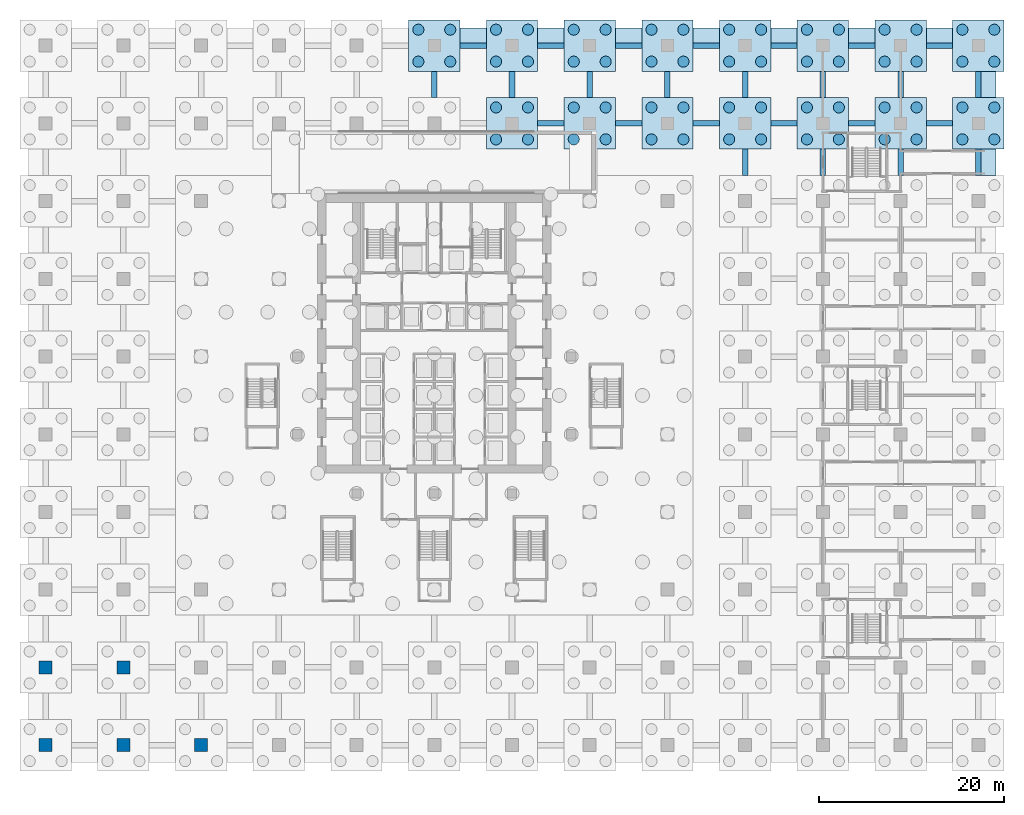
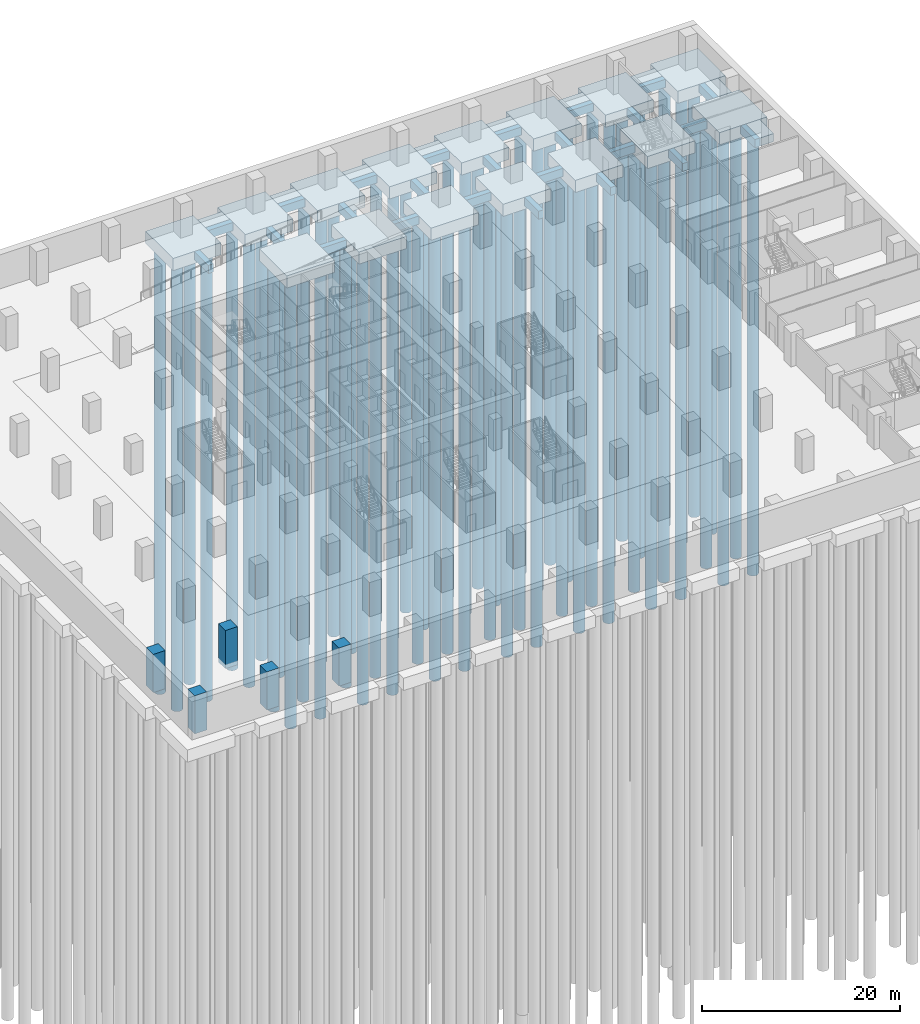
# One storey, part 6 of 22: 60 piles, 49 footings, 5 columns.
"""IFC4 building model written with IfcOpenShell, lengths in metres."""

from ifc_helpers import new_model, si_unit, direction, frame, origin, origin_2d, place, context, subcontext, project, spatial, polyline, rectangle, circle, outline, extrude, material, layer, layer_set, material_profile, profile_set, type_object, element, save


model = new_model("IFC4")

# Units and contexts
model_context = context("Model", 3, precision=1e-05, world=origin(), true_north=direction((0.0, 1.0)))
body_context = subcontext(model_context, "Body", "Model", "MODEL_VIEW")
ifc_project = project(units=[si_unit("LENGTHUNIT", "METRE"), si_unit("AREAUNIT", "SQUARE_METRE"), si_unit("VOLUMEUNIT", "CUBIC_METRE"), si_unit("PLANEANGLEUNIT", "RADIAN"), si_unit("MASSUNIT", "GRAM", prefix="KILO")], contexts=[model_context])

# Site, building, storey
site_placement = place(None, origin())
site = spatial("IfcSite", under=ifc_project, at=site_placement, CompositionType="ELEMENT")
building_placement = place(site_placement, origin())
building = spatial("IfcBuilding", under=site, at=building_placement, Name="Vermilion Ogive Tower", CompositionType="ELEMENT")
storey_placement = place(building_placement, frame((0.0, 0.0, -8.39990234375)))
storey = spatial("IfcBuildingStorey", under=building, at=storey_placement, Name="B2", CompositionType="ELEMENT", Elevation=-8.39990234375)

# Piles
ifc_material_1 = material(Name="Concrete B45", Category="concrete")
pile_type = type_object("IfcPileType", Name="Bored pile PC1 D1200", PredefinedType="BORED", material=ifc_material_1)
for number, where, z_axis, x_axis, name in (
    (1, (-1.72509765625, 36.074951171875, -1.900146484375), (0.0, 0.0, -1.0), (1.0, 0.0, 0.0), "Cap pile 035-1"),
    (2, (1.72509765625, 36.074951171875, -1.900146484375), (0.0, 0.0, -1.0), (1.0, 0.0, 0.0), "Cap pile 035-2"),
    (3, (-1.72509765625, 39.52490234375, -1.900146484375), (0.0, 0.0, -1.0), (1.0, 0.0, 0.0), "Cap pile 035-3"),
    (4, (1.72509765625, 39.52490234375, -1.900146484375), (0.0, 0.0, -1.0), (1.0, 0.0, 0.0), "Cap pile 035-4"),
    (5, (6.675048828125, 27.675048828125, -1.900146484375), (0.0, 0.0, -1.0), (1.0, 0.0, 0.0), "Cap pile 038-1"),
    (6, (10.125, 27.675048828125, -1.900146484375), (0.0, 0.0, -1.0), (1.0, 0.0, 0.0), "Cap pile 038-2"),
    (7, (6.675048828125, 31.125, -1.900146484375), (0.0, 0.0, -1.0), (1.0, 0.0, 0.0), "Cap pile 038-3"),
    (8, (10.125, 31.125, -1.900146484375), (0.0, 0.0, -1.0), (1.0, 0.0, 0.0), "Cap pile 038-4"),
    (9, (6.675048828125, 36.074951171875, -1.900146484375), (0.0, 0.0, -1.0), (1.0, 0.0, 0.0), "Cap pile 039-1"),
    (10, (10.125, 36.074951171875, -1.900146484375), (0.0, 0.0, -1.0), (1.0, 0.0, 0.0), "Cap pile 039-2"),
    (11, (6.675048828125, 39.52490234375, -1.900146484375), (0.0, 0.0, -1.0), (1.0, 0.0, 0.0), "Cap pile 039-3"),
    (12, (10.125, 39.52490234375, -1.900146484375), (0.0, 0.0, -1.0), (1.0, 0.0, 0.0), "Cap pile 039-4"),
    (13, (15.074951171875, 27.675048828125, -1.900146484375), (0.0, 0.0, -1.0), (1.0, 0.0, 0.0), "Cap pile 042-1"),
    (14, (18.52490234375, 27.675048828125, -1.900146484375), (0.0, 0.0, -1.0), (1.0, 0.0, 0.0), "Cap pile 042-2"),
    (15, (15.074951171875, 31.125, -1.900146484375), (0.0, 0.0, -1.0), (1.0, 0.0, 0.0), "Cap pile 042-3"),
    (16, (18.52490234375, 31.125, -1.900146484375), (0.0, 0.0, -1.0), (1.0, 0.0, 0.0), "Cap pile 042-4"),
    (17, (15.074951171875, 36.074951171875, -1.900146484375), (0.0, 0.0, -1.0), (1.0, 0.0, 0.0), "Cap pile 043-1"),
    (18, (18.52490234375, 36.074951171875, -1.900146484375), (0.0, 0.0, -1.0), (1.0, 0.0, 0.0), "Cap pile 043-2"),
    (19, (15.074951171875, 39.52490234375, -1.900146484375), (0.0, 0.0, -1.0), (1.0, 0.0, 0.0), "Cap pile 043-3"),
    (20, (18.52490234375, 39.52490234375, -1.900146484375), (0.0, 0.0, -1.0), (1.0, 0.0, 0.0), "Cap pile 043-4"),
    (21, (23.47509765625, 27.675048828125, -1.900146484375), (0.0, 0.0, -1.0), (1.0, 0.0, 0.0), "Cap pile 046-1"),
    (22, (26.925048828125, 27.675048828125, -1.900146484375), (0.0, 0.0, -1.0), (1.0, 0.0, 0.0), "Cap pile 046-2"),
    (23, (23.47509765625, 31.125, -1.900146484375), (0.0, 0.0, -1.0), (1.0, 0.0, 0.0), "Cap pile 046-3"),
    (24, (26.925048828125, 31.125, -1.900146484375), (0.0, 0.0, -1.0), (1.0, 0.0, 0.0), "Cap pile 046-4"),
    (25, (23.47509765625, 36.074951171875, -1.900146484375), (0.0, 0.0, -1.0), (1.0, 0.0, 0.0), "Cap pile 047-1"),
    (26, (26.925048828125, 36.074951171875, -1.900146484375), (0.0, 0.0, -1.0), (1.0, 0.0, 0.0), "Cap pile 047-2"),
    (27, (23.47509765625, 39.52490234375, -1.900146484375), (0.0, 0.0, -1.0), (1.0, 0.0, 0.0), "Cap pile 047-3"),
    (28, (26.925048828125, 39.52490234375, -1.900146484375), (0.0, 0.0, -1.0), (1.0, 0.0, 0.0), "Cap pile 047-4"),
    (29, (31.875, 27.675048828125, -1.900146484375), (0.0, 0.0, -1.0), (1.0, 0.0, 0.0), "Cap pile 056-1"),
    (30, (35.324951171875, 27.675048828125, -1.900146484375), (0.0, 0.0, -1.0), (1.0, 0.0, 0.0), "Cap pile 056-2"),
    (31, (31.875, 31.125, -1.900146484375), (0.0, 0.0, -1.0), (1.0, 0.0, 0.0), "Cap pile 056-3"),
    (32, (35.324951171875, 31.125, -1.900146484375), (0.0, 0.0, -1.0), (1.0, 0.0, 0.0), "Cap pile 056-4"),
    (33, (31.875, 36.074951171875, -1.900146484375), (0.0, 0.0, -1.0), (1.0, 0.0, 0.0), "Cap pile 057-1"),
    (34, (35.324951171875, 36.074951171875, -1.900146484375), (0.0, 0.0, -1.0), (1.0, 0.0, 0.0), "Cap pile 057-2"),
    (35, (31.875, 39.52490234375, -1.900146484375), (0.0, 0.0, -1.0), (1.0, 0.0, 0.0), "Cap pile 057-3"),
    (36, (35.324951171875, 39.52490234375, -1.900146484375), (0.0, 0.0, -1.0), (1.0, 0.0, 0.0), "Cap pile 057-4"),
    (37, (40.27490234375, 27.675048828125, -1.900146484375), (0.0, 0.0, -1.0), (1.0, 0.0, 0.0), "Cap pile 066-1"),
    (38, (43.72509765625, 27.675048828125, -1.900146484375), (0.0, 0.0, -1.0), (1.0, 0.0, 0.0), "Cap pile 066-2"),
    (39, (40.27490234375, 31.125, -1.900146484375), (0.0, 0.0, -1.0), (1.0, 0.0, 0.0), "Cap pile 066-3"),
    (40, (43.72509765625, 31.125, -1.900146484375), (0.0, 0.0, -1.0), (1.0, 0.0, 0.0), "Cap pile 066-4"),
    (41, (40.27490234375, 36.074951171875, -1.900146484375), (0.0, 0.0, -1.0), (1.0, 0.0, 0.0), "Cap pile 067-1"),
    (42, (43.72509765625, 36.074951171875, -1.900146484375), (0.0, 0.0, -1.0), (1.0, 0.0, 0.0), "Cap pile 067-2"),
    (43, (40.27490234375, 39.52490234375, -1.900146484375), (0.0, 0.0, -1.0), (1.0, 0.0, 0.0), "Cap pile 067-3"),
    (44, (43.72509765625, 39.52490234375, -1.900146484375), (0.0, 0.0, -1.0), (1.0, 0.0, 0.0), "Cap pile 067-4"),
    (45, (48.675048828125, 27.675048828125, -1.900146484375), (0.0, 0.0, -1.0), (1.0, 0.0, 0.0), "Cap pile 076-1"),
    (46, (52.125, 27.675048828125, -1.900146484375), (0.0, 0.0, -1.0), (1.0, 0.0, 0.0), "Cap pile 076-2"),
    (47, (48.675048828125, 31.125, -1.900146484375), (0.0, 0.0, -1.0), (1.0, 0.0, 0.0), "Cap pile 076-3"),
    (48, (52.125, 31.125, -1.900146484375), (0.0, 0.0, -1.0), (1.0, 0.0, 0.0), "Cap pile 076-4"),
    (49, (48.675048828125, 36.074951171875, -1.900146484375), (0.0, 0.0, -1.0), (1.0, 0.0, 0.0), "Cap pile 077-1"),
    (50, (52.125, 36.074951171875, -1.900146484375), (0.0, 0.0, -1.0), (1.0, 0.0, 0.0), "Cap pile 077-2"),
    (51, (48.675048828125, 39.52490234375, -1.900146484375), (0.0, 0.0, -1.0), (1.0, 0.0, 0.0), "Cap pile 077-3"),
    (52, (52.125, 39.52490234375, -1.900146484375), (0.0, 0.0, -1.0), (1.0, 0.0, 0.0), "Cap pile 077-4"),
    (53, (57.074951171875, 27.675048828125, -1.900146484375), (0.0, 0.0, -1.0), (1.0, 0.0, 0.0), "Cap pile 086-1"),
    (54, (60.52490234375, 27.675048828125, -1.900146484375), (0.0, 0.0, -1.0), (1.0, 0.0, 0.0), "Cap pile 086-2"),
    (55, (57.074951171875, 31.125, -1.900146484375), (0.0, 0.0, -1.0), (1.0, 0.0, 0.0), "Cap pile 086-3"),
    (56, (60.52490234375, 31.125, -1.900146484375), (0.0, 0.0, -1.0), (1.0, 0.0, 0.0), "Cap pile 086-4"),
    (57, (57.074951171875, 36.074951171875, -1.900146484375), (0.0, 0.0, -1.0), (1.0, 0.0, 0.0), "Cap pile 087-1"),
    (58, (60.52490234375, 36.074951171875, -1.900146484375), (0.0, 0.0, -1.0), (1.0, 0.0, 0.0), "Cap pile 087-2"),
    (59, (57.074951171875, 39.52490234375, -1.900146484375), (0.0, 0.0, -1.0), (1.0, 0.0, 0.0), "Cap pile 087-3"),
    (60, (60.52490234375, 39.52490234375, -1.900146484375), (0.0, 0.0, -1.0), (1.0, 0.0, 0.0), "Cap pile 087-4"),
):
    element("IfcPile", number, at=place(storey_placement, frame(where, z_axis=z_axis, x_axis=x_axis)), inside=storey, type_object=pile_type, Name=name, PredefinedType="BORED", context=body_context, shape_type="SweptSolid", body=[
        extrude(circle(Radius=0.60009765625, at=origin_2d()), origin(), (0.0, 0.0, 1.0), 55.0),
    ])

# Footings
ifc_material_2 = material(Name="Concrete B50", Category="concrete")
footing_type_1 = type_object("IfcFootingType", Name="Ground beam GB1", PredefinedType="FOOTING_BEAM", material=ifc_material_2)
footing_1_placement = place(storey_placement, frame((0.0, 0.0, -1.5)))
element("IfcFooting", 61, at=footing_1_placement, inside=storey, type_object=footing_type_1, Name="Ground beam 065", PredefinedType="FOOTING_BEAM", context=body_context, shape_type="SweptSolid", body=[
    extrude(outline(polyline([(0.300048828125, 32.175048828125), (0.300048828125, 35.02490234375), (-0.300048828125, 35.02490234375), (-0.300048828125, 32.175048828125), (0.300048828125, 32.175048828125)])), origin(), (0.0, 0.0, 1.0), 1.0),
])
footing_2_placement = place(storey_placement, frame((0.0, 0.0, -1.5)))
element("IfcFooting", 62, at=footing_2_placement, inside=storey, type_object=footing_type_1, Name="Ground beam 066", PredefinedType="FOOTING_BEAM", context=body_context, shape_type="SweptSolid", body=[
    extrude(outline(polyline([(5.625, 37.5), (5.625, 38.10009765625), (2.77490234375, 38.10009765625), (2.77490234375, 37.5), (5.625, 37.5)])), origin(), (0.0, 0.0, 1.0), 1.0),
])
footing_3_placement = place(storey_placement, frame((0.0, 0.0, -1.5)))
element("IfcFooting", 63, at=footing_3_placement, inside=storey, type_object=footing_type_1, Name="Ground beam 071", PredefinedType="FOOTING_BEAM", context=body_context, shape_type="SweptSolid", body=[
    extrude(outline(polyline([(14.02490234375, 29.10009765625), (14.02490234375, 29.699951171875), (11.175048828125, 29.699951171875), (11.175048828125, 29.10009765625), (14.02490234375, 29.10009765625)])), origin(), (0.0, 0.0, 1.0), 1.0),
])
footing_4_placement = place(storey_placement, frame((0.0, 0.0, -1.5)))
element("IfcFooting", 64, at=footing_4_placement, inside=storey, type_object=footing_type_1, Name="Ground beam 072", PredefinedType="FOOTING_BEAM", context=body_context, shape_type="SweptSolid", body=[
    extrude(outline(polyline([(8.699951171875, 32.175048828125), (8.699951171875, 35.02490234375), (8.10009765625, 35.02490234375), (8.10009765625, 32.175048828125), (8.699951171875, 32.175048828125)])), origin(), (0.0, 0.0, 1.0), 1.0),
])
footing_5_placement = place(storey_placement, frame((0.0, 0.0, -1.5)))
element("IfcFooting", 65, at=footing_5_placement, inside=storey, type_object=footing_type_1, Name="Ground beam 073", PredefinedType="FOOTING_BEAM", context=body_context, shape_type="SweptSolid", body=[
    extrude(outline(polyline([(14.02490234375, 37.5), (14.02490234375, 38.10009765625), (11.175048828125, 38.10009765625), (11.175048828125, 37.5), (14.02490234375, 37.5)])), origin(), (0.0, 0.0, 1.0), 1.0),
])
footing_6_placement = place(storey_placement, frame((0.0, 0.0, -1.5)))
element("IfcFooting", 66, at=footing_6_placement, inside=storey, type_object=footing_type_1, Name="Ground beam 078", PredefinedType="FOOTING_BEAM", context=body_context, shape_type="SweptSolid", body=[
    extrude(outline(polyline([(22.425048828125, 29.10009765625), (22.425048828125, 29.699951171875), (19.574951171875, 29.699951171875), (19.574951171875, 29.10009765625), (22.425048828125, 29.10009765625)])), origin(), (0.0, 0.0, 1.0), 1.0),
])
footing_7_placement = place(storey_placement, frame((0.0, 0.0, -1.5)))
element("IfcFooting", 67, at=footing_7_placement, inside=storey, type_object=footing_type_1, Name="Ground beam 079", PredefinedType="FOOTING_BEAM", context=body_context, shape_type="SweptSolid", body=[
    extrude(outline(polyline([(17.10009765625, 32.175048828125), (17.10009765625, 35.02490234375), (16.5, 35.02490234375), (16.5, 32.175048828125), (17.10009765625, 32.175048828125)])), origin(), (0.0, 0.0, 1.0), 1.0),
])
footing_8_placement = place(storey_placement, frame((0.0, 0.0, -1.5)))
element("IfcFooting", 68, at=footing_8_placement, inside=storey, type_object=footing_type_1, Name="Ground beam 080", PredefinedType="FOOTING_BEAM", context=body_context, shape_type="SweptSolid", body=[
    extrude(outline(polyline([(22.425048828125, 37.5), (22.425048828125, 38.10009765625), (19.574951171875, 38.10009765625), (19.574951171875, 37.5), (22.425048828125, 37.5)])), origin(), (0.0, 0.0, 1.0), 1.0),
])
footing_9_placement = place(storey_placement, frame((0.0, 0.0, -1.5)))
element("IfcFooting", 69, at=footing_9_placement, inside=storey, type_object=footing_type_1, Name="Ground beam 085", PredefinedType="FOOTING_BEAM", context=body_context, shape_type="SweptSolid", body=[
    extrude(outline(polyline([(30.824951171875, 29.10009765625), (30.824951171875, 29.699951171875), (27.97509765625, 29.699951171875), (27.97509765625, 29.10009765625), (30.824951171875, 29.10009765625)])), origin(), (0.0, 0.0, 1.0), 1.0),
])
footing_10_placement = place(storey_placement, frame((0.0, 0.0, -1.5)))
element("IfcFooting", 70, at=footing_10_placement, inside=storey, type_object=footing_type_1, Name="Ground beam 086", PredefinedType="FOOTING_BEAM", context=body_context, shape_type="SweptSolid", body=[
    extrude(outline(polyline([(25.5, 32.175048828125), (25.5, 35.02490234375), (24.89990234375, 35.02490234375), (24.89990234375, 32.175048828125), (25.5, 32.175048828125)])), origin(), (0.0, 0.0, 1.0), 1.0),
])
footing_11_placement = place(storey_placement, frame((0.0, 0.0, -1.5)))
element("IfcFooting", 71, at=footing_11_placement, inside=storey, type_object=footing_type_1, Name="Ground beam 087", PredefinedType="FOOTING_BEAM", context=body_context, shape_type="SweptSolid", body=[
    extrude(outline(polyline([(30.824951171875, 37.5), (30.824951171875, 38.10009765625), (27.97509765625, 38.10009765625), (27.97509765625, 37.5), (30.824951171875, 37.5)])), origin(), (0.0, 0.0, 1.0), 1.0),
])
footing_12_placement = place(storey_placement, frame((0.0, 0.0, -1.5)))
element("IfcFooting", 72, at=footing_12_placement, inside=storey, type_object=footing_type_1, Name="Ground beam 103", PredefinedType="FOOTING_BEAM", context=body_context, shape_type="SweptSolid", body=[
    extrude(outline(polyline([(33.89990234375, 23.77490234375), (33.89990234375, 26.625), (33.300048828125, 26.625), (33.300048828125, 23.77490234375), (33.89990234375, 23.77490234375)])), origin(), (0.0, 0.0, 1.0), 1.0),
])
footing_13_placement = place(storey_placement, frame((0.0, 0.0, -1.5)))
element("IfcFooting", 73, at=footing_13_placement, inside=storey, type_object=footing_type_1, Name="Ground beam 104", PredefinedType="FOOTING_BEAM", context=body_context, shape_type="SweptSolid", body=[
    extrude(outline(polyline([(39.22509765625, 29.10009765625), (39.22509765625, 29.699951171875), (36.375, 29.699951171875), (36.375, 29.10009765625), (39.22509765625, 29.10009765625)])), origin(), (0.0, 0.0, 1.0), 1.0),
])
footing_14_placement = place(storey_placement, frame((0.0, 0.0, -1.5)))
element("IfcFooting", 74, at=footing_14_placement, inside=storey, type_object=footing_type_1, Name="Ground beam 105", PredefinedType="FOOTING_BEAM", context=body_context, shape_type="SweptSolid", body=[
    extrude(outline(polyline([(33.89990234375, 32.175048828125), (33.89990234375, 35.02490234375), (33.300048828125, 35.02490234375), (33.300048828125, 32.175048828125), (33.89990234375, 32.175048828125)])), origin(), (0.0, 0.0, 1.0), 1.0),
])
footing_15_placement = place(storey_placement, frame((0.0, 0.0, -1.5)))
element("IfcFooting", 75, at=footing_15_placement, inside=storey, type_object=footing_type_1, Name="Ground beam 106", PredefinedType="FOOTING_BEAM", context=body_context, shape_type="SweptSolid", body=[
    extrude(outline(polyline([(39.22509765625, 37.5), (39.22509765625, 38.10009765625), (36.375, 38.10009765625), (36.375, 37.5), (39.22509765625, 37.5)])), origin(), (0.0, 0.0, 1.0), 1.0),
])
footing_16_placement = place(storey_placement, frame((0.0, 0.0, -1.5)))
element("IfcFooting", 76, at=footing_16_placement, inside=storey, type_object=footing_type_1, Name="Ground beam 122", PredefinedType="FOOTING_BEAM", context=body_context, shape_type="SweptSolid", body=[
    extrude(outline(polyline([(42.300048828125, 23.77490234375), (42.300048828125, 26.625), (41.699951171875, 26.625), (41.699951171875, 23.77490234375), (42.300048828125, 23.77490234375)])), origin(), (0.0, 0.0, 1.0), 1.0),
])
footing_17_placement = place(storey_placement, frame((0.0, 0.0, -1.5)))
element("IfcFooting", 77, at=footing_17_placement, inside=storey, type_object=footing_type_1, Name="Ground beam 123", PredefinedType="FOOTING_BEAM", context=body_context, shape_type="SweptSolid", body=[
    extrude(outline(polyline([(47.625, 29.10009765625), (47.625, 29.699951171875), (44.77490234375, 29.699951171875), (44.77490234375, 29.10009765625), (47.625, 29.10009765625)])), origin(), (0.0, 0.0, 1.0), 1.0),
])
footing_18_placement = place(storey_placement, frame((0.0, 0.0, -1.5)))
element("IfcFooting", 78, at=footing_18_placement, inside=storey, type_object=footing_type_1, Name="Ground beam 124", PredefinedType="FOOTING_BEAM", context=body_context, shape_type="SweptSolid", body=[
    extrude(outline(polyline([(42.300048828125, 32.175048828125), (42.300048828125, 35.02490234375), (41.699951171875, 35.02490234375), (41.699951171875, 32.175048828125), (42.300048828125, 32.175048828125)])), origin(), (0.0, 0.0, 1.0), 1.0),
])
footing_19_placement = place(storey_placement, frame((0.0, 0.0, -1.5)))
element("IfcFooting", 79, at=footing_19_placement, inside=storey, type_object=footing_type_1, Name="Ground beam 125", PredefinedType="FOOTING_BEAM", context=body_context, shape_type="SweptSolid", body=[
    extrude(outline(polyline([(47.625, 37.5), (47.625, 38.10009765625), (44.77490234375, 38.10009765625), (44.77490234375, 37.5), (47.625, 37.5)])), origin(), (0.0, 0.0, 1.0), 1.0),
])
footing_20_placement = place(storey_placement, frame((0.0, 0.0, -1.5)))
element("IfcFooting", 80, at=footing_20_placement, inside=storey, type_object=footing_type_1, Name="Ground beam 141", PredefinedType="FOOTING_BEAM", context=body_context, shape_type="SweptSolid", body=[
    extrude(outline(polyline([(50.699951171875, 23.77490234375), (50.699951171875, 26.625), (50.10009765625, 26.625), (50.10009765625, 23.77490234375), (50.699951171875, 23.77490234375)])), origin(), (0.0, 0.0, 1.0), 1.0),
])
footing_21_placement = place(storey_placement, frame((0.0, 0.0, -1.5)))
element("IfcFooting", 81, at=footing_21_placement, inside=storey, type_object=footing_type_1, Name="Ground beam 142", PredefinedType="FOOTING_BEAM", context=body_context, shape_type="SweptSolid", body=[
    extrude(outline(polyline([(56.02490234375, 29.10009765625), (56.02490234375, 29.699951171875), (53.175048828125, 29.699951171875), (53.175048828125, 29.10009765625), (56.02490234375, 29.10009765625)])), origin(), (0.0, 0.0, 1.0), 1.0),
])
footing_22_placement = place(storey_placement, frame((0.0, 0.0, -1.5)))
element("IfcFooting", 82, at=footing_22_placement, inside=storey, type_object=footing_type_1, Name="Ground beam 143", PredefinedType="FOOTING_BEAM", context=body_context, shape_type="SweptSolid", body=[
    extrude(outline(polyline([(50.699951171875, 32.175048828125), (50.699951171875, 35.02490234375), (50.10009765625, 35.02490234375), (50.10009765625, 32.175048828125), (50.699951171875, 32.175048828125)])), origin(), (0.0, 0.0, 1.0), 1.0),
])
footing_23_placement = place(storey_placement, frame((0.0, 0.0, -1.5)))
element("IfcFooting", 83, at=footing_23_placement, inside=storey, type_object=footing_type_1, Name="Ground beam 144", PredefinedType="FOOTING_BEAM", context=body_context, shape_type="SweptSolid", body=[
    extrude(outline(polyline([(56.02490234375, 37.5), (56.02490234375, 38.10009765625), (53.175048828125, 38.10009765625), (53.175048828125, 37.5), (56.02490234375, 37.5)])), origin(), (0.0, 0.0, 1.0), 1.0),
])
footing_24_placement = place(storey_placement, frame((0.0, 0.0, -1.5)))
element("IfcFooting", 84, at=footing_24_placement, inside=storey, type_object=footing_type_1, Name="Ground beam 152", PredefinedType="FOOTING_BEAM", context=body_context, shape_type="SweptSolid", body=[
    extrude(outline(polyline([(59.10009765625, 23.77490234375), (59.10009765625, 26.625), (58.5, 26.625), (58.5, 23.77490234375), (59.10009765625, 23.77490234375)])), origin(), (0.0, 0.0, 1.0), 1.0),
])
footing_25_placement = place(storey_placement, frame((0.0, 0.0, -1.5)))
element("IfcFooting", 85, at=footing_25_placement, inside=storey, type_object=footing_type_1, Name="Ground beam 153", PredefinedType="FOOTING_BEAM", context=body_context, shape_type="SweptSolid", body=[
    extrude(outline(polyline([(59.10009765625, 32.175048828125), (59.10009765625, 35.02490234375), (58.5, 35.02490234375), (58.5, 32.175048828125), (59.10009765625, 32.175048828125)])), origin(), (0.0, 0.0, 1.0), 1.0),
])
ifc_material_3 = material(Name="Concrete B50", Category="concrete")
ifc_layer_1 = layer(ifc_material_3, 1.5)
ifc_layer_set_1 = layer_set([ifc_layer_1], Name="Pile cap PC1")
footing_type_2 = type_object("IfcFootingType", Name="Pile cap PC1", PredefinedType="PILE_CAP", material=ifc_layer_set_1)
footing_26_placement = place(storey_placement, frame((0.0, 0.0, -2.0)))
element("IfcFooting", 86, at=footing_26_placement, inside=storey, type_object=footing_type_2, Name="Pile cap 035", PredefinedType="PILE_CAP", context=body_context, shape_type="SweptSolid", body=[
    extrude(outline(polyline([(-2.77490234375, 35.02490234375), (2.77490234375, 35.02490234375), (2.77490234375, 40.574951171875), (-2.77490234375, 40.574951171875), (-2.77490234375, 35.02490234375)])), origin(), (0.0, 0.0, 1.0), 1.5),
])
footing_27_placement = place(storey_placement, frame((0.0, 0.0, -2.0)))
element("IfcFooting", 87, at=footing_27_placement, inside=storey, type_object=footing_type_2, Name="Pile cap 038", PredefinedType="PILE_CAP", context=body_context, shape_type="SweptSolid", body=[
    extrude(outline(polyline([(5.625, 26.625), (11.175048828125, 26.625), (11.175048828125, 32.175048828125), (5.625, 32.175048828125), (5.625, 26.625)])), origin(), (0.0, 0.0, 1.0), 1.5),
])
footing_28_placement = place(storey_placement, frame((0.0, 0.0, -2.0)))
element("IfcFooting", 88, at=footing_28_placement, inside=storey, type_object=footing_type_2, Name="Pile cap 039", PredefinedType="PILE_CAP", context=body_context, shape_type="SweptSolid", body=[
    extrude(outline(polyline([(5.625, 35.02490234375), (11.175048828125, 35.02490234375), (11.175048828125, 40.574951171875), (5.625, 40.574951171875), (5.625, 35.02490234375)])), origin(), (0.0, 0.0, 1.0), 1.5),
])
footing_29_placement = place(storey_placement, frame((0.0, 0.0, -2.0)))
element("IfcFooting", 89, at=footing_29_placement, inside=storey, type_object=footing_type_2, Name="Pile cap 042", PredefinedType="PILE_CAP", context=body_context, shape_type="SweptSolid", body=[
    extrude(outline(polyline([(14.02490234375, 26.625), (19.574951171875, 26.625), (19.574951171875, 32.175048828125), (14.02490234375, 32.175048828125), (14.02490234375, 26.625)])), origin(), (0.0, 0.0, 1.0), 1.5),
])
footing_30_placement = place(storey_placement, frame((0.0, 0.0, -2.0)))
element("IfcFooting", 90, at=footing_30_placement, inside=storey, type_object=footing_type_2, Name="Pile cap 043", PredefinedType="PILE_CAP", context=body_context, shape_type="SweptSolid", body=[
    extrude(outline(polyline([(14.02490234375, 35.02490234375), (19.574951171875, 35.02490234375), (19.574951171875, 40.574951171875), (14.02490234375, 40.574951171875), (14.02490234375, 35.02490234375)])), origin(), (0.0, 0.0, 1.0), 1.5),
])
footing_31_placement = place(storey_placement, frame((0.0, 0.0, -2.0)))
element("IfcFooting", 91, at=footing_31_placement, inside=storey, type_object=footing_type_2, Name="Pile cap 046", PredefinedType="PILE_CAP", context=body_context, shape_type="SweptSolid", body=[
    extrude(outline(polyline([(22.425048828125, 26.625), (27.97509765625, 26.625), (27.97509765625, 32.175048828125), (22.425048828125, 32.175048828125), (22.425048828125, 26.625)])), origin(), (0.0, 0.0, 1.0), 1.5),
])
footing_32_placement = place(storey_placement, frame((0.0, 0.0, -2.0)))
element("IfcFooting", 92, at=footing_32_placement, inside=storey, type_object=footing_type_2, Name="Pile cap 047", PredefinedType="PILE_CAP", context=body_context, shape_type="SweptSolid", body=[
    extrude(outline(polyline([(22.425048828125, 35.02490234375), (27.97509765625, 35.02490234375), (27.97509765625, 40.574951171875), (22.425048828125, 40.574951171875), (22.425048828125, 35.02490234375)])), origin(), (0.0, 0.0, 1.0), 1.5),
])
footing_33_placement = place(storey_placement, frame((0.0, 0.0, -2.0)))
element("IfcFooting", 93, at=footing_33_placement, inside=storey, type_object=footing_type_2, Name="Pile cap 056", PredefinedType="PILE_CAP", context=body_context, shape_type="SweptSolid", body=[
    extrude(outline(polyline([(30.824951171875, 26.625), (36.375, 26.625), (36.375, 32.175048828125), (30.824951171875, 32.175048828125), (30.824951171875, 26.625)])), origin(), (0.0, 0.0, 1.0), 1.5),
])
footing_34_placement = place(storey_placement, frame((0.0, 0.0, -2.0)))
element("IfcFooting", 94, at=footing_34_placement, inside=storey, type_object=footing_type_2, Name="Pile cap 057", PredefinedType="PILE_CAP", context=body_context, shape_type="SweptSolid", body=[
    extrude(outline(polyline([(30.824951171875, 35.02490234375), (36.375, 35.02490234375), (36.375, 40.574951171875), (30.824951171875, 40.574951171875), (30.824951171875, 35.02490234375)])), origin(), (0.0, 0.0, 1.0), 1.5),
])
footing_35_placement = place(storey_placement, frame((0.0, 0.0, -2.0)))
element("IfcFooting", 95, at=footing_35_placement, inside=storey, type_object=footing_type_2, Name="Pile cap 066", PredefinedType="PILE_CAP", context=body_context, shape_type="SweptSolid", body=[
    extrude(outline(polyline([(39.22509765625, 26.625), (44.77490234375, 26.625), (44.77490234375, 32.175048828125), (39.22509765625, 32.175048828125), (39.22509765625, 26.625)])), origin(), (0.0, 0.0, 1.0), 1.5),
])
footing_36_placement = place(storey_placement, frame((0.0, 0.0, -2.0)))
element("IfcFooting", 96, at=footing_36_placement, inside=storey, type_object=footing_type_2, Name="Pile cap 067", PredefinedType="PILE_CAP", context=body_context, shape_type="SweptSolid", body=[
    extrude(outline(polyline([(39.22509765625, 35.02490234375), (44.77490234375, 35.02490234375), (44.77490234375, 40.574951171875), (39.22509765625, 40.574951171875), (39.22509765625, 35.02490234375)])), origin(), (0.0, 0.0, 1.0), 1.5),
])
footing_37_placement = place(storey_placement, frame((0.0, 0.0, -2.0)))
element("IfcFooting", 97, at=footing_37_placement, inside=storey, type_object=footing_type_2, Name="Pile cap 076", PredefinedType="PILE_CAP", context=body_context, shape_type="SweptSolid", body=[
    extrude(outline(polyline([(47.625, 26.625), (53.175048828125, 26.625), (53.175048828125, 32.175048828125), (47.625, 32.175048828125), (47.625, 26.625)])), origin(), (0.0, 0.0, 1.0), 1.5),
])
footing_38_placement = place(storey_placement, frame((0.0, 0.0, -2.0)))
element("IfcFooting", 98, at=footing_38_placement, inside=storey, type_object=footing_type_2, Name="Pile cap 077", PredefinedType="PILE_CAP", context=body_context, shape_type="SweptSolid", body=[
    extrude(outline(polyline([(47.625, 35.02490234375), (53.175048828125, 35.02490234375), (53.175048828125, 40.574951171875), (47.625, 40.574951171875), (47.625, 35.02490234375)])), origin(), (0.0, 0.0, 1.0), 1.5),
])
footing_39_placement = place(storey_placement, frame((0.0, 0.0, -2.0)))
element("IfcFooting", 99, at=footing_39_placement, inside=storey, type_object=footing_type_2, Name="Pile cap 086", PredefinedType="PILE_CAP", context=body_context, shape_type="SweptSolid", body=[
    extrude(outline(polyline([(56.02490234375, 26.625), (61.574951171875, 26.625), (61.574951171875, 32.175048828125), (56.02490234375, 32.175048828125), (56.02490234375, 26.625)])), origin(), (0.0, 0.0, 1.0), 1.5),
])
footing_40_placement = place(storey_placement, frame((0.0, 0.0, -2.0)))
element("IfcFooting", 100, at=footing_40_placement, inside=storey, type_object=footing_type_2, Name="Pile cap 087", PredefinedType="PILE_CAP", context=body_context, shape_type="SweptSolid", body=[
    extrude(outline(polyline([(56.02490234375, 35.02490234375), (61.574951171875, 35.02490234375), (61.574951171875, 40.574951171875), (56.02490234375, 40.574951171875), (56.02490234375, 35.02490234375)])), origin(), (0.0, 0.0, 1.0), 1.5),
])
ifc_material_4 = material(Name="Concrete B50", Category="concrete")
ifc_layer_2 = layer(ifc_material_4, 1.0)
ifc_layer_set_2 = layer_set([ifc_layer_2], Name="Wall footing WF1")
footing_type_3 = type_object("IfcFootingType", Name="Wall footing WF1", PredefinedType="STRIP_FOOTING", material=ifc_layer_set_2)
footing_41_placement = place(storey_placement, frame((0.0, 0.0, -1.5)))
element("IfcFooting", 101, at=footing_41_placement, inside=storey, type_object=footing_type_3, Name="Wall footing 015", PredefinedType="STRIP_FOOTING", context=body_context, shape_type="SweptSolid", body=[
    extrude(outline(polyline([(5.625, 38.10009765625), (5.625, 39.699951171875), (2.77490234375, 39.699951171875), (2.77490234375, 38.10009765625), (5.625, 38.10009765625)])), origin(), (0.0, 0.0, 1.0), 1.0),
])
footing_42_placement = place(storey_placement, frame((0.0, 0.0, -1.5)))
element("IfcFooting", 102, at=footing_42_placement, inside=storey, type_object=footing_type_3, Name="Wall footing 016", PredefinedType="STRIP_FOOTING", context=body_context, shape_type="SweptSolid", body=[
    extrude(outline(polyline([(14.02490234375, 38.10009765625), (14.02490234375, 39.699951171875), (11.175048828125, 39.699951171875), (11.175048828125, 38.10009765625), (14.02490234375, 38.10009765625)])), origin(), (0.0, 0.0, 1.0), 1.0),
])
footing_43_placement = place(storey_placement, frame((0.0, 0.0, -1.5)))
element("IfcFooting", 103, at=footing_43_placement, inside=storey, type_object=footing_type_3, Name="Wall footing 017", PredefinedType="STRIP_FOOTING", context=body_context, shape_type="SweptSolid", body=[
    extrude(outline(polyline([(22.425048828125, 38.10009765625), (22.425048828125, 39.699951171875), (19.574951171875, 39.699951171875), (19.574951171875, 38.10009765625), (22.425048828125, 38.10009765625)])), origin(), (0.0, 0.0, 1.0), 1.0),
])
footing_44_placement = place(storey_placement, frame((0.0, 0.0, -1.5)))
element("IfcFooting", 104, at=footing_44_placement, inside=storey, type_object=footing_type_3, Name="Wall footing 018", PredefinedType="STRIP_FOOTING", context=body_context, shape_type="SweptSolid", body=[
    extrude(outline(polyline([(30.824951171875, 38.10009765625), (30.824951171875, 39.699951171875), (27.97509765625, 39.699951171875), (27.97509765625, 38.10009765625), (30.824951171875, 38.10009765625)])), origin(), (0.0, 0.0, 1.0), 1.0),
])
footing_45_placement = place(storey_placement, frame((0.0, 0.0, -1.5)))
element("IfcFooting", 105, at=footing_45_placement, inside=storey, type_object=footing_type_3, Name="Wall footing 019", PredefinedType="STRIP_FOOTING", context=body_context, shape_type="SweptSolid", body=[
    extrude(outline(polyline([(39.22509765625, 38.10009765625), (39.22509765625, 39.699951171875), (36.375, 39.699951171875), (36.375, 38.10009765625), (39.22509765625, 38.10009765625)])), origin(), (0.0, 0.0, 1.0), 1.0),
])
footing_46_placement = place(storey_placement, frame((0.0, 0.0, -1.5)))
element("IfcFooting", 106, at=footing_46_placement, inside=storey, type_object=footing_type_3, Name="Wall footing 020", PredefinedType="STRIP_FOOTING", context=body_context, shape_type="SweptSolid", body=[
    extrude(outline(polyline([(47.625, 38.10009765625), (47.625, 39.699951171875), (44.77490234375, 39.699951171875), (44.77490234375, 38.10009765625), (47.625, 38.10009765625)])), origin(), (0.0, 0.0, 1.0), 1.0),
])
footing_47_placement = place(storey_placement, frame((0.0, 0.0, -1.5)))
element("IfcFooting", 107, at=footing_47_placement, inside=storey, type_object=footing_type_3, Name="Wall footing 021", PredefinedType="STRIP_FOOTING", context=body_context, shape_type="SweptSolid", body=[
    extrude(outline(polyline([(56.02490234375, 38.10009765625), (56.02490234375, 39.699951171875), (53.175048828125, 39.699951171875), (53.175048828125, 38.10009765625), (56.02490234375, 38.10009765625)])), origin(), (0.0, 0.0, 1.0), 1.0),
])
footing_48_placement = place(storey_placement, frame((0.0, 0.0, -1.5)))
element("IfcFooting", 108, at=footing_48_placement, inside=storey, type_object=footing_type_3, Name="Wall footing 022", PredefinedType="STRIP_FOOTING", context=body_context, shape_type="SweptSolid", body=[
    extrude(outline(polyline([(59.10009765625, 32.175048828125), (60.699951171875, 32.175048828125), (60.699951171875, 35.02490234375), (59.10009765625, 35.02490234375), (59.10009765625, 32.175048828125)])), origin(), (0.0, 0.0, 1.0), 1.0),
])
footing_49_placement = place(storey_placement, frame((0.0, 0.0, -1.5)))
element("IfcFooting", 109, at=footing_49_placement, inside=storey, type_object=footing_type_3, Name="Wall footing 023", PredefinedType="STRIP_FOOTING", context=body_context, shape_type="SweptSolid", body=[
    extrude(outline(polyline([(59.10009765625, 23.77490234375), (60.699951171875, 23.77490234375), (60.699951171875, 26.625), (59.10009765625, 26.625), (59.10009765625, 23.77490234375)])), origin(), (0.0, 0.0, 1.0), 1.0),
])

# Columns
ifc_material_5 = material(Name="Concrete B60", Category="concrete")
ifc_material_profile = material_profile(ifc_material_5, rectangle(XDim=1.39990234375, YDim=1.39990234375, at=origin_2d()), Name="RC 1400x1400")
ifc_profile_set = profile_set([ifc_material_profile], Name="Concrete B60")
column_type = type_object("IfcColumnType", Name="Podium column RC 1400", PredefinedType="COLUMN", material=ifc_profile_set)
for number, where, z_axis, x_axis, name in (
    (110, (-42.0, -37.800048828125, -0.5), (0.0, 0.0, 1.0), (1.0, 0.0, 0.0), "Column 1.4 B2"),
    (111, (-33.60009765625, -37.800048828125, -0.5), (0.0, 0.0, 1.0), (1.0, 0.0, 0.0), "Column 1.4 B2"),
    (112, (-25.199951171875, -37.800048828125, -0.5), (0.0, 0.0, 1.0), (1.0, 0.0, 0.0), "Column 1.4 B2"),
    (113, (-42.0, -29.39990234375, -0.5), (0.0, 0.0, 1.0), (1.0, 0.0, 0.0), "Column 1.4 B2"),
    (114, (-33.60009765625, -29.39990234375, -0.5), (0.0, 0.0, 1.0), (1.0, 0.0, 0.0), "Column 1.4 B2"),
):
    element("IfcColumn", number, at=place(storey_placement, frame(where, z_axis=z_axis, x_axis=x_axis)), inside=storey, type_object=column_type, Name=name, PredefinedType="COLUMN", context=body_context, shape_type="SweptSolid", body=[
        extrude(rectangle(XDim=1.39990234375, YDim=1.39990234375, at=origin_2d()), origin(), (0.0, 0.0, 1.0), 4.699951171875),
    ])

save(model, "model.ifc")
